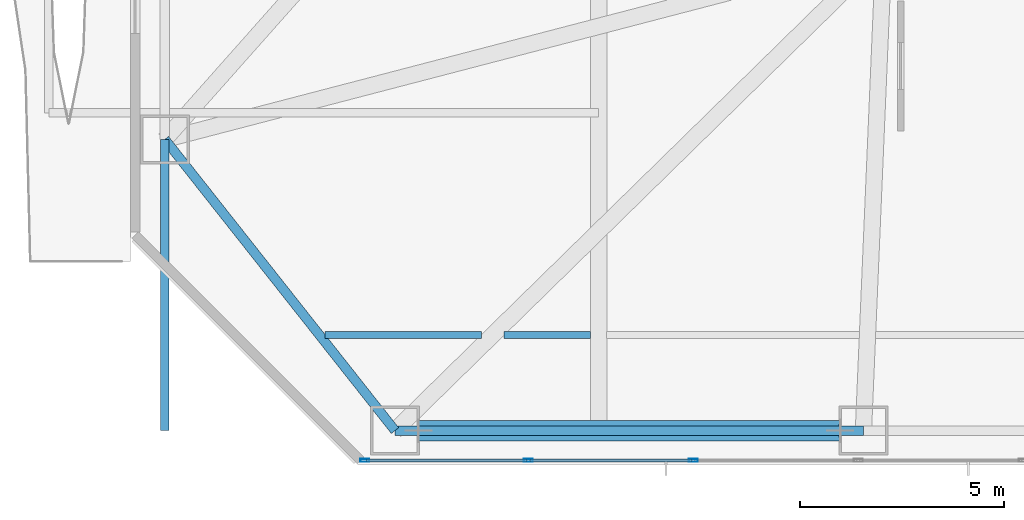
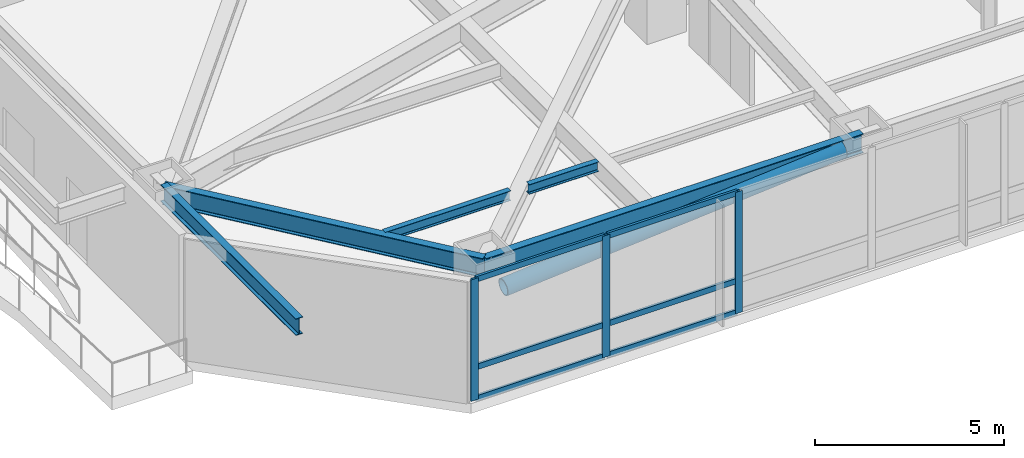
# One storey, part 2 of 32: 10 members, 5 beams, 1 element without a shape of its own.
"""IFC4 building model written with IfcOpenShell, lengths in metres."""

from ifc_helpers import new_model, si_unit, direction, frame, origin, origin_2d, place, context, subcontext, project, spatial, hollow_rectangle, hollow_circle, i_section, extrude, material, material_profile, profile_set, type_object, element, aggregate, save


model = new_model("IFC4")

# Units and contexts
model_context = context("Model", 3, precision=1e-05, world=origin(), true_north=direction((0.0, 1.0)))
body_context = subcontext(model_context, "Body", "Model", "MODEL_VIEW")
ifc_project = project(units=[si_unit("LENGTHUNIT", "METRE"), si_unit("AREAUNIT", "SQUARE_METRE"), si_unit("VOLUMEUNIT", "CUBIC_METRE"), si_unit("PLANEANGLEUNIT", "RADIAN"), si_unit("MASSUNIT", "GRAM", prefix="KILO")], contexts=[model_context])

# Site, building, storey
site_placement = place(None, origin())
site = spatial("IfcSite", under=ifc_project, at=site_placement, CompositionType="ELEMENT")
building_placement = place(site_placement, origin())
building = spatial("IfcBuilding", under=site, at=building_placement, Name="Khamvora Tower", CompositionType="ELEMENT")
storey_placement = place(building_placement, frame((0.0, 0.0, 12.0)))
storey = spatial("IfcBuildingStorey", under=building, at=storey_placement, Name="L02", CompositionType="ELEMENT", Elevation=12.0)

# Beams
ifc_material_1 = material(Name="Steel S355", Category="steel")
ifc_material_profile_1 = material_profile(ifc_material_1, i_section(OverallWidth=0.166015625, OverallDepth=0.31298828125, WebThickness=0.007080078125, FlangeThickness=0.010986328125, FilletRadius=0.010009765625, at=origin_2d()), Name="W310x45")
ifc_profile_set_1 = profile_set([ifc_material_profile_1], Name="Steel S355")
beam_type_1 = type_object("IfcBeamType", Name="BM-JS-W310x45", PredefinedType="JOIST", material=ifc_profile_set_1)
beam_1_placement = place(storey_placement, frame((4.784912109375, 3.199951171875, 3.763916015625), z_axis=(1.0, 0.0, 0.0), x_axis=(0.0, 1.0, 0.0)))
element("IfcBeam", 1, at=beam_1_placement, inside=storey, type_object=beam_type_1, Name="L02 secondary floor joist 01", PredefinedType="JOIST", context=body_context, shape_type="SweptSolid", body=[
    extrude(i_section(OverallWidth=0.166015625, OverallDepth=0.31298828125, WebThickness=0.007080078125, FlangeThickness=0.010986328125, FilletRadius=0.010009765625, at=origin_2d()), origin(), (0.0, 0.0, 1.0), 3.833984375),
])
beam_2_placement = place(storey_placement, frame((9.180908203125, 3.199951171875, 3.763916015625), z_axis=(1.0, 0.0, 0.0), x_axis=(0.0, 1.0, 0.0)))
element("IfcBeam", 2, at=beam_2_placement, inside=storey, type_object=beam_type_1, Name="L02 secondary floor joist 02", PredefinedType="JOIST", context=body_context, shape_type="SweptSolid", body=[
    extrude(i_section(OverallWidth=0.166015625, OverallDepth=0.31298828125, WebThickness=0.007080078125, FlangeThickness=0.010986328125, FilletRadius=0.010009765625, at=origin_2d()), origin(), (0.0, 0.0, 1.0), 2.1240234375),
])
ifc_material_profile_2 = material_profile(ifc_material_1, i_section(OverallWidth=0.2119140625, OverallDepth=0.5439453125, WebThickness=0.012939453125, FlangeThickness=0.02099609375, FilletRadius=0.013916015625, at=origin_2d()), Name="W530x123")
ifc_profile_set_2 = profile_set([ifc_material_profile_2], Name="Steel S355")
beam_type_2 = type_object("IfcBeamType", Name="BM-SP-W530x123", PredefinedType="SPANDREL", material=ifc_profile_set_2)
beam_3_placement = place(storey_placement, frame((0.85009765625, 0.85009765625, 3.64794921875), z_axis=(0.0, 1.0, 0.0), x_axis=(-1.0, 0.0, 0.0)))
element("IfcBeam", 3, at=beam_3_placement, inside=storey, type_object=beam_type_2, Name="L02 W perimeter edge spandrel 1", PredefinedType="SPANDREL", context=body_context, shape_type="SweptSolid", body=[
    extrude(i_section(OverallWidth=0.2119140625, OverallDepth=0.5439453125, WebThickness=0.012939453125, FlangeThickness=0.02099609375, FilletRadius=0.013916015625, at=origin_2d()), origin(), (0.0, 0.0, 1.0), 7.14990234375),
])
ifc_material_profile_3 = material_profile(ifc_material_1, i_section(OverallWidth=0.22998046875, OverallDepth=0.616943359375, WebThickness=0.012939453125, FlangeThickness=0.02197265625, FilletRadius=0.013916015625, at=origin_2d()), Name="W610x140")
ifc_profile_set_3 = profile_set([ifc_material_profile_3], Name="Steel S355")
beam_type_3 = type_object("IfcBeamType", Name="BM-SP-W610x140", PredefinedType="SPANDREL", material=ifc_profile_set_3)
beam_4_placement = place(storey_placement, frame((0.85009765625, 8.0, 3.611083984375), z_axis=(0.619998635429, -0.784602888133, 0.0), x_axis=(0.784602888133, 0.619998635429, 0.0)))
element("IfcBeam", 4, at=beam_4_placement, inside=storey, type_object=beam_type_3, Name="L02 perimeter spandrel beam P09-P01", PredefinedType="SPANDREL", context=body_context, shape_type="SweptSolid", body=[
    extrude(i_section(OverallWidth=0.22998046875, OverallDepth=0.616943359375, WebThickness=0.012939453125, FlangeThickness=0.02197265625, FilletRadius=0.013916015625, at=origin_2d()), origin(), (0.0, 0.0, 1.0), 9.11279296875),
])
beam_5_placement = place(storey_placement, frame((6.5, 0.85009765625, 3.611083984375), z_axis=(1.0, 0.0, 0.0), x_axis=(0.0, 1.0, 0.0)))
element("IfcBeam", 5, at=beam_5_placement, inside=storey, type_object=beam_type_3, Name="L02 perimeter spandrel beam P01-P02", PredefinedType="SPANDREL", context=body_context, shape_type="SweptSolid", body=[
    extrude(i_section(OverallWidth=0.22998046875, OverallDepth=0.616943359375, WebThickness=0.012939453125, FlangeThickness=0.02197265625, FilletRadius=0.013916015625, at=origin_2d()), origin(), (0.0, 0.0, 1.0), 11.5),
])

# Curtain wall, members
ifc_material_2 = material(Name="Anodised Aluminium 6063-T6", Category="aluminium")
curtain_wall_type = type_object("IfcCurtainWallType", Name="CW-SYS-01", PredefinedType="NOTDEFINED", material=ifc_material_2)
curtain_wall_placement = place(storey_placement, origin())
curtain_wall = element("IfcCurtainWall", 6, at=curtain_wall_placement, inside=storey, type_object=curtain_wall_type, Name="L02 stick curtain wall 14.1", PredefinedType="NOTDEFINED")
ifc_material_profile_4 = material_profile(ifc_material_2, hollow_rectangle(XDim=0.074951171875, YDim=0.219970703125, WallThickness=0.0048828125, at=origin_2d()), Name="MUL75x220x5")
ifc_profile_set_4 = profile_set([ifc_material_profile_4], Name="Anodised Aluminium 6063-T6")
member_type_1 = type_object("IfcMemberType", Name="CW-SYS-01-MUL", PredefinedType="MULLION", material=ifc_profile_set_4)
member_1_placement = place(storey_placement, frame((13.824951171875, 0.1201171875, 0.0), z_axis=(0.0, 0.0, 1.0), x_axis=(0.0, -1.0, 0.0)))
member_1 = element("IfcMember", 7, at=member_1_placement, type_object=member_type_1, Name="CW-01 mullion 10", PredefinedType="MULLION", context=body_context, shape_type="SweptSolid", body=[
    extrude(hollow_rectangle(XDim=0.074951171875, YDim=0.219970703125, WallThickness=0.0048828125, at=origin_2d()), origin(), (0.0, 0.0, 1.0), 3.919921875),
])
member_2_placement = place(storey_placement, frame((9.77490234375, 0.1201171875, 0.0), z_axis=(0.0, 0.0, 1.0), x_axis=(0.0, -1.0, 0.0)))
member_2 = element("IfcMember", 8, at=member_2_placement, type_object=member_type_1, Name="CW-01 mullion 11", PredefinedType="MULLION", context=body_context, shape_type="SweptSolid", body=[
    extrude(hollow_rectangle(XDim=0.074951171875, YDim=0.219970703125, WallThickness=0.0048828125, at=origin_2d()), origin(), (0.0, 0.0, 1.0), 3.919921875),
])
member_3_placement = place(storey_placement, frame((5.762451171875, 0.1201171875, 0.0), z_axis=(0.0, 0.0, 1.0), x_axis=(0.0, -1.0, 0.0)))
member_3 = element("IfcMember", 9, at=member_3_placement, type_object=member_type_1, Name="CW-01 mullion 12", PredefinedType="MULLION", context=body_context, shape_type="SweptSolid", body=[
    extrude(hollow_rectangle(XDim=0.074951171875, YDim=0.219970703125, WallThickness=0.0048828125, at=origin_2d()), origin(), (0.0, 0.0, 1.0), 3.919921875),
])
ifc_material_profile_5 = material_profile(ifc_material_2, hollow_rectangle(XDim=0.074951171875, YDim=0.179931640625, WallThickness=0.0048828125, at=origin_2d()), Name="TRN75x180x5")
ifc_profile_set_5 = profile_set([ifc_material_profile_5], Name="Anodised Aluminium 6063-T6")
member_type_2 = type_object("IfcMemberType", Name="CW-SYS-01-TRN", PredefinedType="USERDEFINED", material=ifc_profile_set_5)
member_4_placement = place(storey_placement, frame((13.78759765625, 0.1201171875, 0.03759765625), z_axis=(-1.0, 0.0, 0.0), x_axis=(0.0, -1.0, 0.0)))
member_4 = element("IfcMember", 10, at=member_4_placement, type_object=member_type_2, Name="CW-01 transom 10.1", ObjectType="TRANSOM", PredefinedType="USERDEFINED", context=body_context, shape_type="SweptSolid", body=[
    extrude(hollow_rectangle(XDim=0.074951171875, YDim=0.179931640625, WallThickness=0.0048828125, at=origin_2d()), origin(), (0.0, 0.0, 1.0), 3.97509765625),
])
member_5_placement = place(storey_placement, frame((13.78759765625, 0.1201171875, 1.050048828125), z_axis=(-1.0, 0.0, 0.0), x_axis=(0.0, -1.0, 0.0)))
member_5 = element("IfcMember", 11, at=member_5_placement, type_object=member_type_2, Name="CW-01 transom 10.2", ObjectType="TRANSOM", PredefinedType="USERDEFINED", context=body_context, shape_type="SweptSolid", body=[
    extrude(hollow_rectangle(XDim=0.074951171875, YDim=0.179931640625, WallThickness=0.0048828125, at=origin_2d()), origin(), (0.0, 0.0, 1.0), 3.97509765625),
])
member_6_placement = place(storey_placement, frame((13.78759765625, 0.1201171875, 3.882568359375), z_axis=(-1.0, 0.0, 0.0), x_axis=(0.0, -1.0, 0.0)))
member_6 = element("IfcMember", 12, at=member_6_placement, type_object=member_type_2, Name="CW-01 transom 10.3", ObjectType="TRANSOM", PredefinedType="USERDEFINED", context=body_context, shape_type="SweptSolid", body=[
    extrude(hollow_rectangle(XDim=0.074951171875, YDim=0.179931640625, WallThickness=0.0048828125, at=origin_2d()), origin(), (0.0, 0.0, 1.0), 3.97509765625),
])
member_7_placement = place(storey_placement, frame((9.737548828125, 0.1201171875, 0.03759765625), z_axis=(-1.0, 0.0, 0.0), x_axis=(0.0, -1.0, 0.0)))
member_7 = element("IfcMember", 13, at=member_7_placement, type_object=member_type_2, Name="CW-01 transom 11.1", ObjectType="TRANSOM", PredefinedType="USERDEFINED", context=body_context, shape_type="SweptSolid", body=[
    extrude(hollow_rectangle(XDim=0.074951171875, YDim=0.179931640625, WallThickness=0.0048828125, at=origin_2d()), origin(), (0.0, 0.0, 1.0), 3.9375),
])
member_8_placement = place(storey_placement, frame((9.737548828125, 0.1201171875, 1.050048828125), z_axis=(-1.0, 0.0, 0.0), x_axis=(0.0, -1.0, 0.0)))
member_8 = element("IfcMember", 14, at=member_8_placement, type_object=member_type_2, Name="CW-01 transom 11.2", ObjectType="TRANSOM", PredefinedType="USERDEFINED", context=body_context, shape_type="SweptSolid", body=[
    extrude(hollow_rectangle(XDim=0.074951171875, YDim=0.179931640625, WallThickness=0.0048828125, at=origin_2d()), origin(), (0.0, 0.0, 1.0), 3.9375),
])
member_9_placement = place(storey_placement, frame((9.737548828125, 0.1201171875, 3.882568359375), z_axis=(-1.0, 0.0, 0.0), x_axis=(0.0, -1.0, 0.0)))
member_9 = element("IfcMember", 15, at=member_9_placement, type_object=member_type_2, Name="CW-01 transom 11.3", ObjectType="TRANSOM", PredefinedType="USERDEFINED", context=body_context, shape_type="SweptSolid", body=[
    extrude(hollow_rectangle(XDim=0.074951171875, YDim=0.179931640625, WallThickness=0.0048828125, at=origin_2d()), origin(), (0.0, 0.0, 1.0), 3.9375),
])
aggregate(curtain_wall, [member_1, member_2, member_3, member_4, member_5, member_6, member_7, member_8, member_9])

# Member
ifc_material_3 = material(Name="Steel S460", Category="steel")
ifc_material_profile_6 = material_profile(ifc_material_3, hollow_circle(Radius=0.25390625, WallThickness=0.02490234375, at=origin_2d()), Name="CHS508x25")
ifc_profile_set_6 = profile_set([ifc_material_profile_6], Name="Steel S460")
member_type_3 = type_object("IfcMemberType", Name="MEM-BR-CHS508", PredefinedType="BRACE", material=ifc_profile_set_6)
member_10_placement = place(storey_placement, frame((7.077880859375, 0.85009765625, 2.72705078125), z_axis=(0.996743065986, 0.0, 0.080642795143), x_axis=(0.0, 1.0, 0.0)))
element("IfcMember", 16, at=member_10_placement, inside=storey, type_object=member_type_3, Name="L02 perimeter wind brace 1", PredefinedType="BRACE", context=body_context, shape_type="SweptSolid", body=[
    extrude(hollow_circle(Radius=0.25390625, WallThickness=0.02490234375, at=origin_2d()), origin(), (0.0, 0.0, 1.0), 10.3779296875),
])

save(model, "model.ifc")
